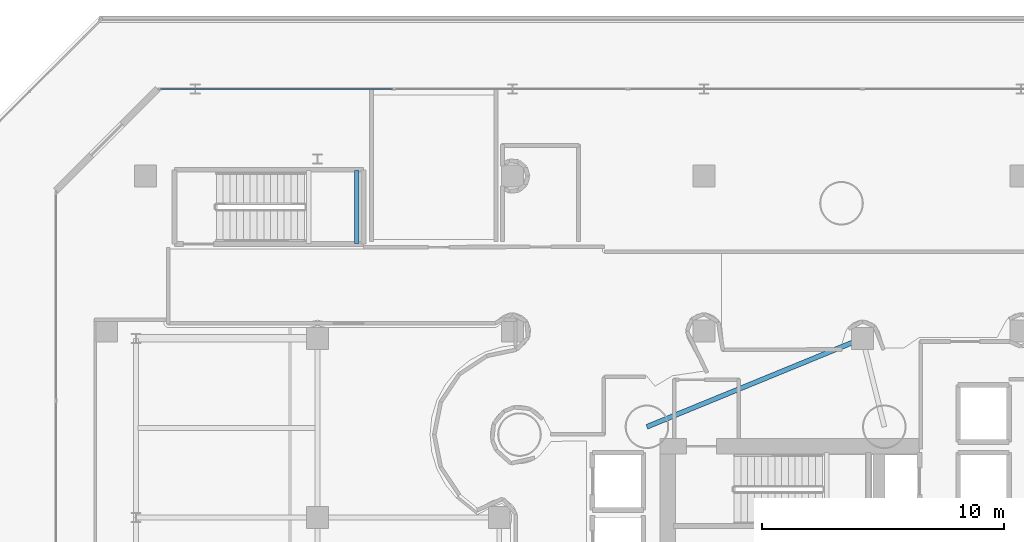
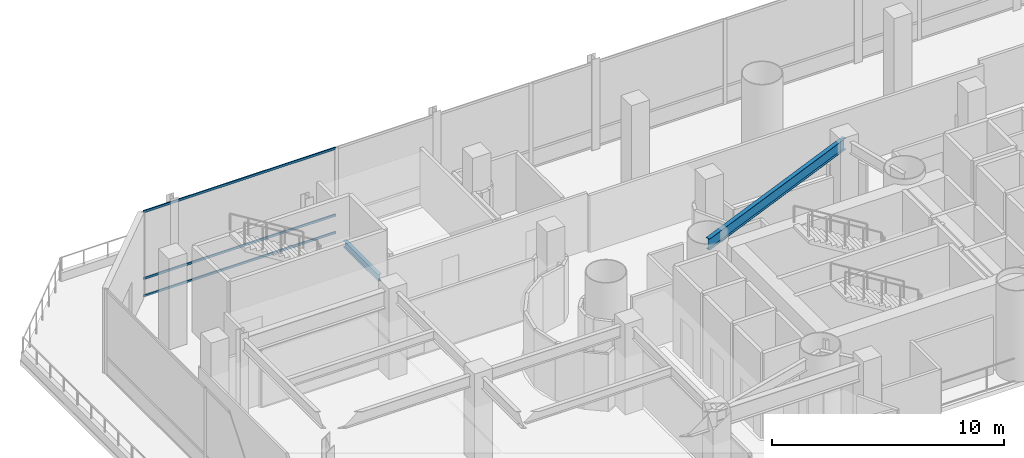
# One storey, part 15 of 39: 3 members, 2 beams, 1 element without a shape of its own.
"""IFC4 building model written with IfcOpenShell, lengths in metres."""

from ifc_helpers import new_model, si_unit, direction, frame, origin, origin_2d, place, context, subcontext, project, spatial, hollow_rectangle, i_section, extrude, material, layer, layer_set, material_profile, profile_set, type_object, element, aggregate, save


model = new_model("IFC4")

# Units and contexts
model_context = context("Model", 3, precision=1e-05, world=origin(), true_north=direction((0.0, 1.0)))
body_context = subcontext(model_context, "Body", "Model", "MODEL_VIEW")
ifc_project = project(units=[si_unit("LENGTHUNIT", "METRE"), si_unit("AREAUNIT", "SQUARE_METRE"), si_unit("VOLUMEUNIT", "CUBIC_METRE"), si_unit("PLANEANGLEUNIT", "RADIAN"), si_unit("MASSUNIT", "GRAM", prefix="KILO")], contexts=[model_context])

# Site, building, storey
site_placement = place(None, origin())
site = spatial("IfcSite", under=ifc_project, at=site_placement, CompositionType="ELEMENT")
building_placement = place(site_placement, origin())
building = spatial("IfcBuilding", under=site, at=building_placement, Name="Qianvela Tower", CompositionType="ELEMENT")
storey_placement = place(building_placement, frame((0.0, 0.0, 15.800048828125)))
storey = spatial("IfcBuildingStorey", under=building, at=storey_placement, Name="L03", CompositionType="ELEMENT", Elevation=15.800048828125)

# Beams
ifc_material_1 = material(Name="Steel Q355B", Category="steel")
ifc_material_profile_1 = material_profile(ifc_material_1, i_section(OverallWidth=0.175048828125, OverallDepth=0.35009765625, WebThickness=0.007080078125, FlangeThickness=0.010986328125, at=origin_2d()), Name="HN350x175x7x11")
ifc_profile_set_1 = profile_set([ifc_material_profile_1], Name="Steel Q355B")
beam_type_1 = type_object("IfcBeamType", Name="BM-HN350-JOIST", PredefinedType="JOIST", material=ifc_profile_set_1)
beam_1_placement = place(storey_placement, frame((16.6201171875, 41.1201171875, 2.02490234375), z_axis=(0.0, 1.0, 0.0), x_axis=(-1.0, 0.0, 0.0)))
element("IfcBeam", 1, at=beam_1_placement, inside=storey, type_object=beam_type_1, Name="L03 Stair ST-3 Landing Support Beam 1.2", PredefinedType="JOIST", context=body_context, shape_type="SweptSolid", body=[
    extrude(i_section(OverallWidth=0.175048828125, OverallDepth=0.35009765625, WebThickness=0.007080078125, FlangeThickness=0.010986328125, at=origin_2d()), origin(), (0.0, 0.0, 1.0), 3.019775390625),
])
ifc_material_2 = material(Name="Steel Q355B", Category="steel")
ifc_material_profile_2 = material_profile(ifc_material_2, i_section(OverallWidth=0.199951171875, OverallDepth=0.60009765625, WebThickness=0.010986328125, FlangeThickness=0.01708984375, at=origin_2d()), Name="HN600x200x11x17")
ifc_profile_set_2 = profile_set([ifc_material_profile_2], Name="Steel Q355B")
beam_type_2 = type_object("IfcBeamType", Name="BM-HN600-GIRD", PredefinedType="BEAM", material=ifc_profile_set_2)
beam_2_placement = place(storey_placement, frame((28.60009765625, 33.550048828125, 4.197998046875), z_axis=(0.925217514763, 0.379437149441, 0.0), x_axis=(-0.379437149441, 0.925217514763, 0.0)))
element("IfcBeam", 2, at=beam_2_placement, inside=storey, type_object=beam_type_2, Name="L03 Core Tie Girder 36", PredefinedType="BEAM", context=body_context, shape_type="SweptSolid", body=[
    extrude(i_section(OverallWidth=0.199951171875, OverallDepth=0.60009765625, WebThickness=0.010986328125, FlangeThickness=0.01708984375, at=origin_2d()), origin(), (0.0, 0.0, 1.0), 9.619140625),
])

# Curtain wall, members
ifc_material_3 = material(Name="Anodised Architectural Aluminium and Low-E Glass", Category="aluminium")
ifc_layer = layer(ifc_material_3, 0.179931640625)
ifc_layer_set = layer_set([ifc_layer], Name="Anodised Architectural Aluminium and Low-E Glass")
curtain_wall_type = type_object("IfcCurtainWallType", Name="CW-COMMONS", PredefinedType="USERDEFINED", material=ifc_layer_set)
curtain_wall_placement = place(storey_placement, origin())
curtain_wall = element("IfcCurtainWall", 3, at=curtain_wall_placement, inside=storey, type_object=curtain_wall_type, Name="L03 CW-COMMONS Curtain Wall 05", ObjectType="CURTAIN_WALL_SYSTEM", PredefinedType="USERDEFINED")
ifc_material_4 = material(Name="Anodised Architectural Aluminium 6063-T6", Category="aluminium")
ifc_material_profile_3 = material_profile(ifc_material_4, hollow_rectangle(XDim=0.06005859375, YDim=0.114990234375, WallThickness=0.00390625, at=origin_2d()), Name="ALU-TRAN-60x115")
ifc_profile_set_3 = profile_set([ifc_material_profile_3], Name="Anodised Architectural Aluminium 6063-T6")
member_type = type_object("IfcMemberType", Name="CW-COMMONS-TRAN", PredefinedType="USERDEFINED", material=ifc_profile_set_3)
member_1_placement = place(storey_placement, frame((18.098388671875, 47.5, 0.030029296875), z_axis=(-1.0, 0.0, 0.0), x_axis=(0.0, -1.0, 0.0)))
member_1 = element("IfcMember", 4, at=member_1_placement, type_object=member_type, Name="CW-2 transom 6.1", ObjectType="TRANSOM", PredefinedType="USERDEFINED", context=body_context, shape_type="SweptSolid", body=[
    extrude(hollow_rectangle(XDim=0.06005859375, YDim=0.114990234375, WallThickness=0.00390625, at=origin_2d()), origin(), (0.0, 0.0, 1.0), 9.578369140625),
])
member_2_placement = place(storey_placement, frame((18.098388671875, 47.5, 0.949951171875), z_axis=(-1.0, 0.0, 0.0), x_axis=(0.0, -1.0, 0.0)))
member_2 = element("IfcMember", 5, at=member_2_placement, type_object=member_type, Name="CW-2 transom 6.2", ObjectType="TRANSOM", PredefinedType="USERDEFINED", context=body_context, shape_type="SweptSolid", body=[
    extrude(hollow_rectangle(XDim=0.06005859375, YDim=0.114990234375, WallThickness=0.00390625, at=origin_2d()), origin(), (0.0, 0.0, 1.0), 9.578369140625),
])
member_3_placement = place(storey_placement, frame((18.098388671875, 47.5, 4.469970703125), z_axis=(-1.0, 0.0, 0.0), x_axis=(0.0, -1.0, 0.0)))
member_3 = element("IfcMember", 6, at=member_3_placement, type_object=member_type, Name="CW-2 transom 6.3", ObjectType="TRANSOM", PredefinedType="USERDEFINED", context=body_context, shape_type="SweptSolid", body=[
    extrude(hollow_rectangle(XDim=0.06005859375, YDim=0.114990234375, WallThickness=0.00390625, at=origin_2d()), origin(), (0.0, 0.0, 1.0), 9.578369140625),
])
aggregate(curtain_wall, [member_1, member_2, member_3])

save(model, "model.ifc")
